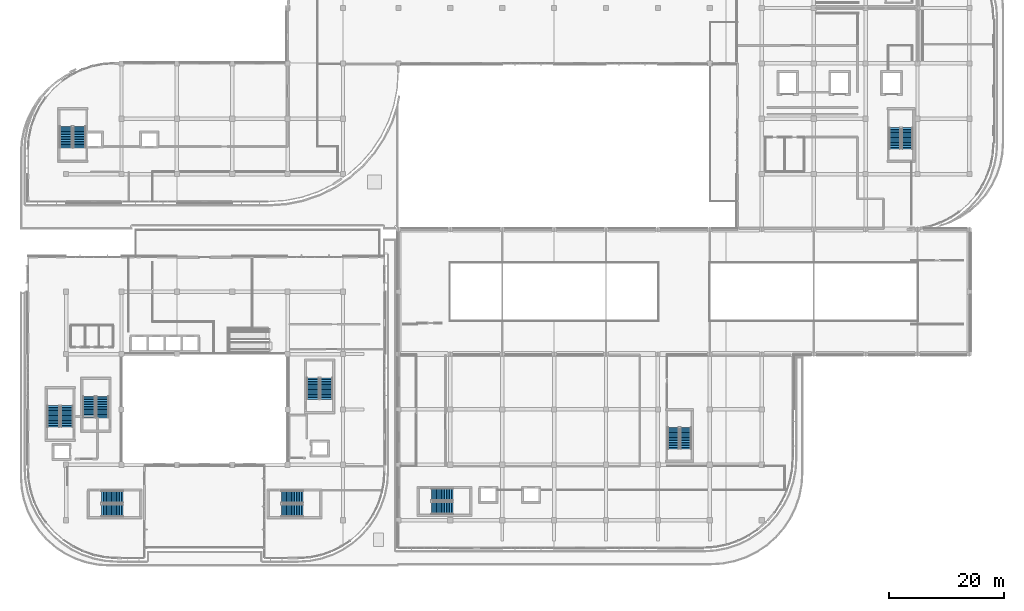
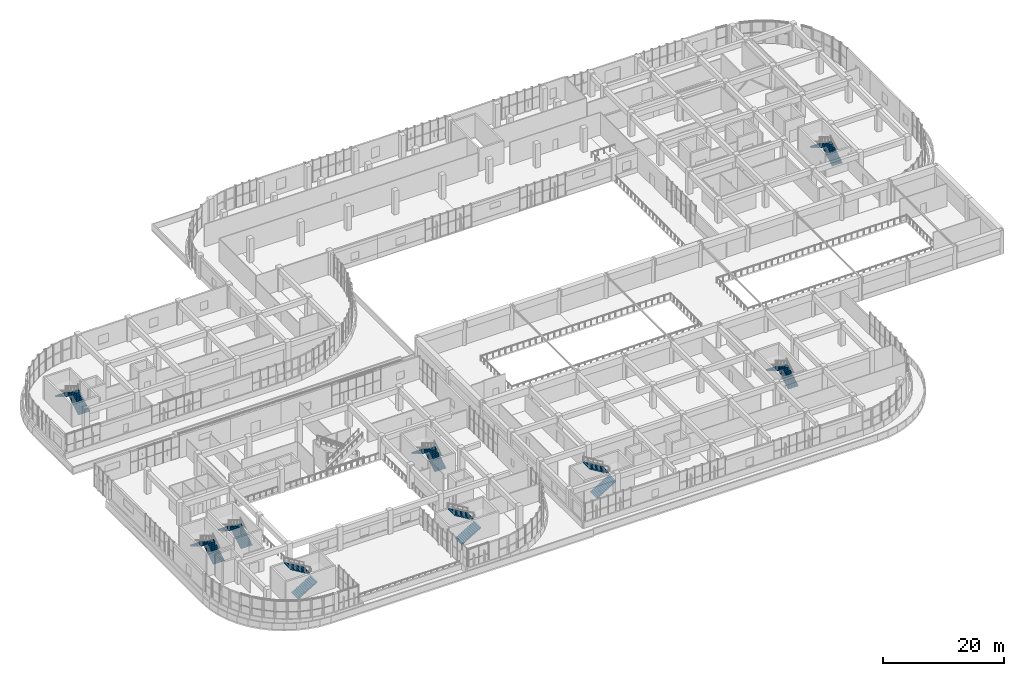
# One storey, part 74 of 96: 18 stair flights, 9 elements without a shape of their own.
"""IFC4 building model written with IfcOpenShell, lengths in metres."""

from ifc_helpers import new_model, si_unit, direction, frame, origin, place, context, subcontext, project, spatial, polyline, outline, extrude, material, layer, layer_set, type_object, element, aggregate, save


model = new_model("IFC4")

# Units and contexts
model_context = context("Model", 3, precision=1e-05, world=origin(), true_north=direction((0.0, 1.0)))
body_context = subcontext(model_context, "Body", "Model", "MODEL_VIEW")
ifc_project = project(units=[si_unit("LENGTHUNIT", "METRE"), si_unit("AREAUNIT", "SQUARE_METRE"), si_unit("VOLUMEUNIT", "CUBIC_METRE"), si_unit("PLANEANGLEUNIT", "RADIAN"), si_unit("MASSUNIT", "GRAM", prefix="KILO")], contexts=[model_context])

# Site, building, storey
site_placement = place(None, origin())
site = spatial("IfcSite", under=ifc_project, at=site_placement, CompositionType="ELEMENT")
building_placement = place(site_placement, origin())
building = spatial("IfcBuilding", under=site, at=building_placement, Name="Cendralis Terraced Arcade", CompositionType="ELEMENT")
storey_placement = place(building_placement, frame((0.0, 0.0, 10.199951171875)))
storey = spatial("IfcBuildingStorey", under=building, at=storey_placement, Name="L02", CompositionType="ELEMENT", Elevation=10.199951171875)

# Stair, stair flights
ifc_material = material(Name="Concrete f'c 35 MPa", Category="concrete")
stair_type_1 = type_object("IfcStairType", Name="STR-W195-H480", PredefinedType="HALF_TURN_STAIR", material=ifc_material)
stair_1_placement = place(storey_placement, origin())
stair_1 = element("IfcStair", 1, at=stair_1_placement, inside=storey, type_object=stair_type_1, Name="L02 Protected Exit Stair ST-06", PredefinedType="HALF_TURN_STAIR")
ifc_layer_1 = layer(ifc_material, 0.159912109375, Name="FLT-W195-H480")
ifc_layer_set_1 = layer_set([ifc_layer_1], Name="Concrete f'c 35 MPa")
stair_flight_type_1 = type_object("IfcStairFlightType", Name="FLT-W195-H480", PredefinedType="STRAIGHT", material=ifc_layer_set_1)
stair_flight_1_placement = place(storey_placement, frame((155.425048828125, 73.949951171875, 0.0), z_axis=(0.0, 0.0, 1.0), x_axis=(0.0, 1.0, 0.0)))
stair_flight_1 = element("IfcStairFlight", 2, at=stair_flight_1_placement, type_object=stair_flight_type_1, Name="ST-06 flight 1", NumberOfRisers=14, NumberOfTreads=13, PredefinedType="STRAIGHT", RiserHeight=0.171428571, TreadLength=0.285, context=body_context, shape_type="SweptSolid", body=[
    extrude(outline(polyline([(0.0, 0.0), (0.0, 0.17138671875), (0.284912109375, 0.17138671875), (0.284912109375, 0.3427734375), (0.570068359375, 0.3427734375), (0.570068359375, 0.514404296875), (0.85498046875, 0.514404296875), (0.85498046875, 0.685791015625), (1.139892578125, 0.685791015625), (1.139892578125, 0.857177734375), (1.425048828125, 0.857177734375), (1.425048828125, 1.028564453125), (1.7099609375, 1.028564453125), (1.7099609375, 1.199951171875), (1.9951171875, 1.199951171875), (1.9951171875, 1.371337890625), (2.280029296875, 1.371337890625), (2.280029296875, 1.54296875), (2.56494140625, 1.54296875), (2.56494140625, 1.71435546875), (2.85009765625, 1.71435546875), (2.85009765625, 1.8857421875), (3.135009765625, 1.8857421875), (3.135009765625, 2.05712890625), (3.419921875, 2.05712890625), (3.419921875, 2.228515625), (3.705078125, 2.228515625), (3.705078125, 2.39990234375), (3.705078125, 2.0537109375), (0.290771484375, 0.0), (0.0, 0.0)])), frame((0.0, 0.97509765625, 0.0), z_axis=(0.0, -1.0, 0.0), x_axis=(1.0, 0.0, 0.0)), (0.0, 0.0, 1.0), 1.949951171875),
])
stair_flight_2_placement = place(storey_placement, frame((153.27490234375, 77.655029296875, 2.400146484375), z_axis=(0.0, 0.0, 1.0), x_axis=(0.0, -1.0, 0.0)))
stair_flight_2 = element("IfcStairFlight", 3, at=stair_flight_2_placement, type_object=stair_flight_type_1, Name="ST-06 flight 2", NumberOfRisers=14, NumberOfTreads=13, PredefinedType="STRAIGHT", RiserHeight=0.171428571, TreadLength=0.285, context=body_context, shape_type="SweptSolid", body=[
    extrude(outline(polyline([(0.0, 0.0), (0.0, 0.17138671875), (0.284912109375, 0.17138671875), (0.284912109375, 0.3427734375), (0.570068359375, 0.3427734375), (0.570068359375, 0.514404296875), (0.85498046875, 0.514404296875), (0.85498046875, 0.685791015625), (1.139892578125, 0.685791015625), (1.139892578125, 0.857177734375), (1.425048828125, 0.857177734375), (1.425048828125, 1.028564453125), (1.7099609375, 1.028564453125), (1.7099609375, 1.199951171875), (1.9951171875, 1.199951171875), (1.9951171875, 1.371337890625), (2.280029296875, 1.371337890625), (2.280029296875, 1.54296875), (2.56494140625, 1.54296875), (2.56494140625, 1.71435546875), (2.85009765625, 1.71435546875), (2.85009765625, 1.8857421875), (3.135009765625, 1.8857421875), (3.135009765625, 2.05712890625), (3.419921875, 2.05712890625), (3.419921875, 2.228515625), (3.705078125, 2.228515625), (3.705078125, 2.39990234375), (3.705078125, 2.0537109375), (0.290771484375, 0.0), (0.0, 0.0)])), frame((0.0, 0.97509765625, 0.0), z_axis=(0.0, -1.0, 0.0), x_axis=(1.0, 0.0, 0.0)), (0.0, 0.0, 1.0), 1.949951171875),
])
aggregate(stair_1, [stair_flight_1, stair_flight_2])

stair_2_placement = place(storey_placement, origin())
stair_2 = element("IfcStair", 4, at=stair_2_placement, inside=storey, type_object=stair_type_1, Name="L02 Protected Exit Stair ST-09", PredefinedType="HALF_TURN_STAIR")
stair_flight_3_placement = place(storey_placement, frame((117.02490234375, 21.949951171875, 0.0), z_axis=(0.0, 0.0, 1.0), x_axis=(0.0, 1.0, 0.0)))
stair_flight_3 = element("IfcStairFlight", 5, at=stair_flight_3_placement, type_object=stair_flight_type_1, Name="ST-09 flight 1", NumberOfRisers=14, NumberOfTreads=13, PredefinedType="STRAIGHT", RiserHeight=0.171428571, TreadLength=0.285, context=body_context, shape_type="SweptSolid", body=[
    extrude(outline(polyline([(0.0, 0.0), (0.0, 0.17138671875), (0.284912109375, 0.17138671875), (0.284912109375, 0.3427734375), (0.570068359375, 0.3427734375), (0.570068359375, 0.514404296875), (0.85498046875, 0.514404296875), (0.85498046875, 0.685791015625), (1.139892578125, 0.685791015625), (1.139892578125, 0.857177734375), (1.425048828125, 0.857177734375), (1.425048828125, 1.028564453125), (1.7099609375, 1.028564453125), (1.7099609375, 1.199951171875), (1.9951171875, 1.199951171875), (1.9951171875, 1.371337890625), (2.280029296875, 1.371337890625), (2.280029296875, 1.54296875), (2.56494140625, 1.54296875), (2.56494140625, 1.71435546875), (2.85009765625, 1.71435546875), (2.85009765625, 1.8857421875), (3.135009765625, 1.8857421875), (3.135009765625, 2.05712890625), (3.419921875, 2.05712890625), (3.419921875, 2.228515625), (3.705078125, 2.228515625), (3.705078125, 2.39990234375), (3.705078125, 2.0537109375), (0.290771484375, 0.0), (0.0, 0.0)])), frame((0.0, 0.97509765625, 0.0), z_axis=(0.0, -1.0, 0.0), x_axis=(1.0, 0.0, 0.0)), (0.0, 0.0, 1.0), 1.949951171875),
])
stair_flight_4_placement = place(storey_placement, frame((114.875, 25.655029296875, 2.400146484375), z_axis=(0.0, 0.0, 1.0), x_axis=(0.0, -1.0, 0.0)))
stair_flight_4 = element("IfcStairFlight", 6, at=stair_flight_4_placement, type_object=stair_flight_type_1, Name="ST-09 flight 2", NumberOfRisers=14, NumberOfTreads=13, PredefinedType="STRAIGHT", RiserHeight=0.171428571, TreadLength=0.285, context=body_context, shape_type="SweptSolid", body=[
    extrude(outline(polyline([(0.0, 0.0), (0.0, 0.17138671875), (0.284912109375, 0.17138671875), (0.284912109375, 0.3427734375), (0.570068359375, 0.3427734375), (0.570068359375, 0.514404296875), (0.85498046875, 0.514404296875), (0.85498046875, 0.685791015625), (1.139892578125, 0.685791015625), (1.139892578125, 0.857177734375), (1.425048828125, 0.857177734375), (1.425048828125, 1.028564453125), (1.7099609375, 1.028564453125), (1.7099609375, 1.199951171875), (1.9951171875, 1.199951171875), (1.9951171875, 1.371337890625), (2.280029296875, 1.371337890625), (2.280029296875, 1.54296875), (2.56494140625, 1.54296875), (2.56494140625, 1.71435546875), (2.85009765625, 1.71435546875), (2.85009765625, 1.8857421875), (3.135009765625, 1.8857421875), (3.135009765625, 2.05712890625), (3.419921875, 2.05712890625), (3.419921875, 2.228515625), (3.705078125, 2.228515625), (3.705078125, 2.39990234375), (3.705078125, 2.0537109375), (0.290771484375, 0.0), (0.0, 0.0)])), frame((0.0, 0.97509765625, 0.0), z_axis=(0.0, -1.0, 0.0), x_axis=(1.0, 0.0, 0.0)), (0.0, 0.0, 1.0), 1.949951171875),
])
aggregate(stair_2, [stair_flight_3, stair_flight_4])

stair_type_2 = type_object("IfcStairType", Name="STR-W215-H480", PredefinedType="HALF_TURN_STAIR", material=ifc_material)
stair_3_placement = place(storey_placement, origin())
stair_3 = element("IfcStair", 7, at=stair_3_placement, inside=storey, type_object=stair_type_2, Name="L02 Protected Exit Stair ST-01", PredefinedType="HALF_TURN_STAIR")
ifc_layer_2 = layer(ifc_material, 0.159912109375, Name="FLT-W215-H480")
ifc_layer_set_2 = layer_set([ifc_layer_2], Name="Concrete f'c 35 MPa")
stair_flight_type_2 = type_object("IfcStairFlightType", Name="FLT-W215-H480", PredefinedType="STRAIGHT", material=ifc_layer_set_2)
stair_flight_5_placement = place(storey_placement, frame((9.72509765625, 25.75, 0.0), z_axis=(0.0, 0.0, 1.0), x_axis=(0.0, 1.0, 0.0)))
stair_flight_5 = element("IfcStairFlight", 8, at=stair_flight_5_placement, type_object=stair_flight_type_2, Name="ST-01 flight 1", NumberOfRisers=14, NumberOfTreads=13, PredefinedType="STRAIGHT", RiserHeight=0.171428571, TreadLength=0.285, context=body_context, shape_type="SweptSolid", body=[
    extrude(outline(polyline([(0.0, 0.0), (0.0, 0.17138671875), (0.284912109375, 0.17138671875), (0.284912109375, 0.3427734375), (0.570068359375, 0.3427734375), (0.570068359375, 0.514404296875), (0.85498046875, 0.514404296875), (0.85498046875, 0.685791015625), (1.139892578125, 0.685791015625), (1.139892578125, 0.857177734375), (1.425048828125, 0.857177734375), (1.425048828125, 1.028564453125), (1.7099609375, 1.028564453125), (1.7099609375, 1.199951171875), (1.9951171875, 1.199951171875), (1.9951171875, 1.371337890625), (2.280029296875, 1.371337890625), (2.280029296875, 1.54296875), (2.56494140625, 1.54296875), (2.56494140625, 1.71435546875), (2.85009765625, 1.71435546875), (2.85009765625, 1.8857421875), (3.135009765625, 1.8857421875), (3.135009765625, 2.05712890625), (3.419921875, 2.05712890625), (3.419921875, 2.228515625), (3.705078125, 2.228515625), (3.705078125, 2.39990234375), (3.705078125, 2.0537109375), (0.290771484375, 0.0), (0.0, 0.0)])), frame((0.0, 1.074951171875, 0.0), z_axis=(0.0, -1.0, 0.0), x_axis=(1.0, 0.0, 0.0)), (0.0, 0.0, 1.0), 2.14990234375),
])
stair_flight_6_placement = place(storey_placement, frame((7.375, 29.455078125, 2.400146484375), z_axis=(0.0, 0.0, 1.0), x_axis=(0.0, -1.0, 0.0)))
stair_flight_6 = element("IfcStairFlight", 9, at=stair_flight_6_placement, type_object=stair_flight_type_2, Name="ST-01 flight 2", NumberOfRisers=14, NumberOfTreads=13, PredefinedType="STRAIGHT", RiserHeight=0.171428571, TreadLength=0.285, context=body_context, shape_type="SweptSolid", body=[
    extrude(outline(polyline([(0.0, 0.0), (0.0, 0.17138671875), (0.284912109375, 0.17138671875), (0.284912109375, 0.3427734375), (0.570068359375, 0.3427734375), (0.570068359375, 0.514404296875), (0.85498046875, 0.514404296875), (0.85498046875, 0.685791015625), (1.139892578125, 0.685791015625), (1.139892578125, 0.857177734375), (1.425048828125, 0.857177734375), (1.425048828125, 1.028564453125), (1.7099609375, 1.028564453125), (1.7099609375, 1.199951171875), (1.9951171875, 1.199951171875), (1.9951171875, 1.371337890625), (2.280029296875, 1.371337890625), (2.280029296875, 1.54296875), (2.56494140625, 1.54296875), (2.56494140625, 1.71435546875), (2.85009765625, 1.71435546875), (2.85009765625, 1.8857421875), (3.135009765625, 1.8857421875), (3.135009765625, 2.05712890625), (3.419921875, 2.05712890625), (3.419921875, 2.228515625), (3.705078125, 2.228515625), (3.705078125, 2.39990234375), (3.705078125, 2.0537109375), (0.290771484375, 0.0), (0.0, 0.0)])), frame((0.0, 1.074951171875, 0.0), z_axis=(0.0, -1.0, 0.0), x_axis=(1.0, 0.0, 0.0)), (0.0, 0.0, 1.0), 2.14990234375),
])
aggregate(stair_3, [stair_flight_5, stair_flight_6])

stair_4_placement = place(storey_placement, origin())
stair_4 = element("IfcStair", 10, at=stair_4_placement, inside=storey, type_object=stair_type_2, Name="L02 Protected Exit Stair ST-02", PredefinedType="HALF_TURN_STAIR")
stair_flight_7_placement = place(storey_placement, frame((15.75, 11.27490234375, 0.0), z_axis=(0.0, 0.0, 1.0), x_axis=(1.0, 0.0, 0.0)))
stair_flight_7 = element("IfcStairFlight", 11, at=stair_flight_7_placement, type_object=stair_flight_type_2, Name="ST-02 flight 1", NumberOfRisers=14, NumberOfTreads=13, PredefinedType="STRAIGHT", RiserHeight=0.171428571, TreadLength=0.285, context=body_context, shape_type="SweptSolid", body=[
    extrude(outline(polyline([(0.0, 0.0), (0.0, 0.17138671875), (0.284912109375, 0.17138671875), (0.284912109375, 0.3427734375), (0.570068359375, 0.3427734375), (0.570068359375, 0.514404296875), (0.85498046875, 0.514404296875), (0.85498046875, 0.685791015625), (1.139892578125, 0.685791015625), (1.139892578125, 0.857177734375), (1.425048828125, 0.857177734375), (1.425048828125, 1.028564453125), (1.7099609375, 1.028564453125), (1.7099609375, 1.199951171875), (1.9951171875, 1.199951171875), (1.9951171875, 1.371337890625), (2.280029296875, 1.371337890625), (2.280029296875, 1.54296875), (2.56494140625, 1.54296875), (2.56494140625, 1.71435546875), (2.85009765625, 1.71435546875), (2.85009765625, 1.8857421875), (3.135009765625, 1.8857421875), (3.135009765625, 2.05712890625), (3.419921875, 2.05712890625), (3.419921875, 2.228515625), (3.705078125, 2.228515625), (3.705078125, 2.39990234375), (3.705078125, 2.0537109375), (0.290771484375, 0.0), (0.0, 0.0)])), frame((0.0, 1.074951171875, 0.0), z_axis=(0.0, -1.0, 0.0), x_axis=(1.0, 0.0, 0.0)), (0.0, 0.0, 1.0), 2.14990234375),
])
stair_flight_8_placement = place(storey_placement, frame((19.455078125, 13.625, 2.400146484375), z_axis=(0.0, 0.0, 1.0), x_axis=(-1.0, 0.0, 0.0)))
stair_flight_8 = element("IfcStairFlight", 12, at=stair_flight_8_placement, type_object=stair_flight_type_2, Name="ST-02 flight 2", NumberOfRisers=14, NumberOfTreads=13, PredefinedType="STRAIGHT", RiserHeight=0.171428571, TreadLength=0.285, context=body_context, shape_type="SweptSolid", body=[
    extrude(outline(polyline([(0.0, 0.0), (0.0, 0.17138671875), (0.284912109375, 0.17138671875), (0.284912109375, 0.3427734375), (0.570068359375, 0.3427734375), (0.570068359375, 0.514404296875), (0.85498046875, 0.514404296875), (0.85498046875, 0.685791015625), (1.139892578125, 0.685791015625), (1.139892578125, 0.857177734375), (1.425048828125, 0.857177734375), (1.425048828125, 1.028564453125), (1.7099609375, 1.028564453125), (1.7099609375, 1.199951171875), (1.9951171875, 1.199951171875), (1.9951171875, 1.371337890625), (2.280029296875, 1.371337890625), (2.280029296875, 1.54296875), (2.56494140625, 1.54296875), (2.56494140625, 1.71435546875), (2.85009765625, 1.71435546875), (2.85009765625, 1.8857421875), (3.135009765625, 1.8857421875), (3.135009765625, 2.05712890625), (3.419921875, 2.05712890625), (3.419921875, 2.228515625), (3.705078125, 2.228515625), (3.705078125, 2.39990234375), (3.705078125, 2.0537109375), (0.290771484375, 0.0), (0.0, 0.0)])), frame((0.0, 1.074951171875, 0.0), z_axis=(0.0, -1.0, 0.0), x_axis=(1.0, 0.0, 0.0)), (0.0, 0.0, 1.0), 2.14990234375),
])
aggregate(stair_4, [stair_flight_7, stair_flight_8])

stair_5_placement = place(storey_placement, origin())
stair_5 = element("IfcStair", 13, at=stair_5_placement, inside=storey, type_object=stair_type_2, Name="L02 Protected Exit Stair ST-03", PredefinedType="HALF_TURN_STAIR")
stair_flight_9_placement = place(storey_placement, frame((46.949951171875, 11.27490234375, 0.0), z_axis=(0.0, 0.0, 1.0), x_axis=(1.0, 0.0, 0.0)))
stair_flight_9 = element("IfcStairFlight", 14, at=stair_flight_9_placement, type_object=stair_flight_type_2, Name="ST-03 flight 1", NumberOfRisers=14, NumberOfTreads=13, PredefinedType="STRAIGHT", RiserHeight=0.171428571, TreadLength=0.285, context=body_context, shape_type="SweptSolid", body=[
    extrude(outline(polyline([(0.0, 0.0), (0.0, 0.17138671875), (0.284912109375, 0.17138671875), (0.284912109375, 0.3427734375), (0.570068359375, 0.3427734375), (0.570068359375, 0.514404296875), (0.85498046875, 0.514404296875), (0.85498046875, 0.685791015625), (1.139892578125, 0.685791015625), (1.139892578125, 0.857177734375), (1.425048828125, 0.857177734375), (1.425048828125, 1.028564453125), (1.7099609375, 1.028564453125), (1.7099609375, 1.199951171875), (1.9951171875, 1.199951171875), (1.9951171875, 1.371337890625), (2.280029296875, 1.371337890625), (2.280029296875, 1.54296875), (2.56494140625, 1.54296875), (2.56494140625, 1.71435546875), (2.85009765625, 1.71435546875), (2.85009765625, 1.8857421875), (3.135009765625, 1.8857421875), (3.135009765625, 2.05712890625), (3.419921875, 2.05712890625), (3.419921875, 2.228515625), (3.705078125, 2.228515625), (3.705078125, 2.39990234375), (3.705078125, 2.0537109375), (0.290771484375, 0.0), (0.0, 0.0)])), frame((0.0, 1.074951171875, 0.0), z_axis=(0.0, -1.0, 0.0), x_axis=(1.0, 0.0, 0.0)), (0.0, 0.0, 1.0), 2.14990234375),
])
stair_flight_10_placement = place(storey_placement, frame((50.655029296875, 13.625, 2.400146484375), z_axis=(0.0, 0.0, 1.0), x_axis=(-1.0, 0.0, 0.0)))
stair_flight_10 = element("IfcStairFlight", 15, at=stair_flight_10_placement, type_object=stair_flight_type_2, Name="ST-03 flight 2", NumberOfRisers=14, NumberOfTreads=13, PredefinedType="STRAIGHT", RiserHeight=0.171428571, TreadLength=0.285, context=body_context, shape_type="SweptSolid", body=[
    extrude(outline(polyline([(0.0, 0.0), (0.0, 0.17138671875), (0.284912109375, 0.17138671875), (0.284912109375, 0.3427734375), (0.570068359375, 0.3427734375), (0.570068359375, 0.514404296875), (0.85498046875, 0.514404296875), (0.85498046875, 0.685791015625), (1.139892578125, 0.685791015625), (1.139892578125, 0.857177734375), (1.425048828125, 0.857177734375), (1.425048828125, 1.028564453125), (1.7099609375, 1.028564453125), (1.7099609375, 1.199951171875), (1.9951171875, 1.199951171875), (1.9951171875, 1.371337890625), (2.280029296875, 1.371337890625), (2.280029296875, 1.54296875), (2.56494140625, 1.54296875), (2.56494140625, 1.71435546875), (2.85009765625, 1.71435546875), (2.85009765625, 1.8857421875), (3.135009765625, 1.8857421875), (3.135009765625, 2.05712890625), (3.419921875, 2.05712890625), (3.419921875, 2.228515625), (3.705078125, 2.228515625), (3.705078125, 2.39990234375), (3.705078125, 2.0537109375), (0.290771484375, 0.0), (0.0, 0.0)])), frame((0.0, 1.074951171875, 0.0), z_axis=(0.0, -1.0, 0.0), x_axis=(1.0, 0.0, 0.0)), (0.0, 0.0, 1.0), 2.14990234375),
])
aggregate(stair_5, [stair_flight_9, stair_flight_10])

stair_6_placement = place(storey_placement, origin())
stair_6 = element("IfcStair", 16, at=stair_6_placement, inside=storey, type_object=stair_type_2, Name="L02 Protected Exit Stair ST-04", PredefinedType="HALF_TURN_STAIR")
stair_flight_11_placement = place(storey_placement, frame((54.72509765625, 30.550048828125, 0.0), z_axis=(0.0, 0.0, 1.0), x_axis=(0.0, 1.0, 0.0)))
stair_flight_11 = element("IfcStairFlight", 17, at=stair_flight_11_placement, type_object=stair_flight_type_2, Name="ST-04 flight 1", NumberOfRisers=14, NumberOfTreads=13, PredefinedType="STRAIGHT", RiserHeight=0.171428571, TreadLength=0.285, context=body_context, shape_type="SweptSolid", body=[
    extrude(outline(polyline([(0.0, 0.0), (0.0, 0.17138671875), (0.284912109375, 0.17138671875), (0.284912109375, 0.3427734375), (0.570068359375, 0.3427734375), (0.570068359375, 0.514404296875), (0.85498046875, 0.514404296875), (0.85498046875, 0.685791015625), (1.139892578125, 0.685791015625), (1.139892578125, 0.857177734375), (1.425048828125, 0.857177734375), (1.425048828125, 1.028564453125), (1.7099609375, 1.028564453125), (1.7099609375, 1.199951171875), (1.9951171875, 1.199951171875), (1.9951171875, 1.371337890625), (2.280029296875, 1.371337890625), (2.280029296875, 1.54296875), (2.56494140625, 1.54296875), (2.56494140625, 1.71435546875), (2.85009765625, 1.71435546875), (2.85009765625, 1.8857421875), (3.135009765625, 1.8857421875), (3.135009765625, 2.05712890625), (3.419921875, 2.05712890625), (3.419921875, 2.228515625), (3.705078125, 2.228515625), (3.705078125, 2.39990234375), (3.705078125, 2.0537109375), (0.290771484375, 0.0), (0.0, 0.0)])), frame((0.0, 1.074951171875, 0.0), z_axis=(0.0, -1.0, 0.0), x_axis=(1.0, 0.0, 0.0)), (0.0, 0.0, 1.0), 2.14990234375),
])
stair_flight_12_placement = place(storey_placement, frame((52.375, 34.2548828125, 2.400146484375), z_axis=(0.0, 0.0, 1.0), x_axis=(0.0, -1.0, 0.0)))
stair_flight_12 = element("IfcStairFlight", 18, at=stair_flight_12_placement, type_object=stair_flight_type_2, Name="ST-04 flight 2", NumberOfRisers=14, NumberOfTreads=13, PredefinedType="STRAIGHT", RiserHeight=0.171428571, TreadLength=0.285, context=body_context, shape_type="SweptSolid", body=[
    extrude(outline(polyline([(0.0, 0.0), (0.0, 0.17138671875), (0.284912109375, 0.17138671875), (0.284912109375, 0.3427734375), (0.570068359375, 0.3427734375), (0.570068359375, 0.514404296875), (0.85498046875, 0.514404296875), (0.85498046875, 0.685791015625), (1.139892578125, 0.685791015625), (1.139892578125, 0.857177734375), (1.425048828125, 0.857177734375), (1.425048828125, 1.028564453125), (1.7099609375, 1.028564453125), (1.7099609375, 1.199951171875), (1.9951171875, 1.199951171875), (1.9951171875, 1.371337890625), (2.280029296875, 1.371337890625), (2.280029296875, 1.54296875), (2.56494140625, 1.54296875), (2.56494140625, 1.71435546875), (2.85009765625, 1.71435546875), (2.85009765625, 1.8857421875), (3.135009765625, 1.8857421875), (3.135009765625, 2.05712890625), (3.419921875, 2.05712890625), (3.419921875, 2.228515625), (3.705078125, 2.228515625), (3.705078125, 2.39990234375), (3.705078125, 2.0537109375), (0.290771484375, 0.0), (0.0, 0.0)])), frame((0.0, 1.074951171875, 0.0), z_axis=(0.0, -1.0, 0.0), x_axis=(1.0, 0.0, 0.0)), (0.0, 0.0, 1.0), 2.14990234375),
])
aggregate(stair_6, [stair_flight_11, stair_flight_12])

stair_7_placement = place(storey_placement, origin())
stair_7 = element("IfcStair", 19, at=stair_7_placement, inside=storey, type_object=stair_type_2, Name="L02 Protected Exit Stair ST-05", PredefinedType="HALF_TURN_STAIR")
stair_flight_13_placement = place(storey_placement, frame((15.925048828125, 27.35009765625, 0.0), z_axis=(0.0, 0.0, 1.0), x_axis=(0.0, 1.0, 0.0)))
stair_flight_13 = element("IfcStairFlight", 20, at=stair_flight_13_placement, type_object=stair_flight_type_2, Name="ST-05 flight 1", NumberOfRisers=14, NumberOfTreads=13, PredefinedType="STRAIGHT", RiserHeight=0.171428571, TreadLength=0.285, context=body_context, shape_type="SweptSolid", body=[
    extrude(outline(polyline([(0.0, 0.0), (0.0, 0.17138671875), (0.284912109375, 0.17138671875), (0.284912109375, 0.3427734375), (0.570068359375, 0.3427734375), (0.570068359375, 0.514404296875), (0.85498046875, 0.514404296875), (0.85498046875, 0.685791015625), (1.139892578125, 0.685791015625), (1.139892578125, 0.857177734375), (1.425048828125, 0.857177734375), (1.425048828125, 1.028564453125), (1.7099609375, 1.028564453125), (1.7099609375, 1.199951171875), (1.9951171875, 1.199951171875), (1.9951171875, 1.371337890625), (2.280029296875, 1.371337890625), (2.280029296875, 1.54296875), (2.56494140625, 1.54296875), (2.56494140625, 1.71435546875), (2.85009765625, 1.71435546875), (2.85009765625, 1.8857421875), (3.135009765625, 1.8857421875), (3.135009765625, 2.05712890625), (3.419921875, 2.05712890625), (3.419921875, 2.228515625), (3.705078125, 2.228515625), (3.705078125, 2.39990234375), (3.705078125, 2.0537109375), (0.290771484375, 0.0), (0.0, 0.0)])), frame((0.0, 1.074951171875, 0.0), z_axis=(0.0, -1.0, 0.0), x_axis=(1.0, 0.0, 0.0)), (0.0, 0.0, 1.0), 2.14990234375),
])
stair_flight_14_placement = place(storey_placement, frame((13.574951171875, 31.054931640625, 2.400146484375), z_axis=(0.0, 0.0, 1.0), x_axis=(0.0, -1.0, 0.0)))
stair_flight_14 = element("IfcStairFlight", 21, at=stair_flight_14_placement, type_object=stair_flight_type_2, Name="ST-05 flight 2", NumberOfRisers=14, NumberOfTreads=13, PredefinedType="STRAIGHT", RiserHeight=0.171428571, TreadLength=0.285, context=body_context, shape_type="SweptSolid", body=[
    extrude(outline(polyline([(0.0, 0.0), (0.0, 0.17138671875), (0.284912109375, 0.17138671875), (0.284912109375, 0.3427734375), (0.570068359375, 0.3427734375), (0.570068359375, 0.514404296875), (0.85498046875, 0.514404296875), (0.85498046875, 0.685791015625), (1.139892578125, 0.685791015625), (1.139892578125, 0.857177734375), (1.425048828125, 0.857177734375), (1.425048828125, 1.028564453125), (1.7099609375, 1.028564453125), (1.7099609375, 1.199951171875), (1.9951171875, 1.199951171875), (1.9951171875, 1.371337890625), (2.280029296875, 1.371337890625), (2.280029296875, 1.54296875), (2.56494140625, 1.54296875), (2.56494140625, 1.71435546875), (2.85009765625, 1.71435546875), (2.85009765625, 1.8857421875), (3.135009765625, 1.8857421875), (3.135009765625, 2.05712890625), (3.419921875, 2.05712890625), (3.419921875, 2.228515625), (3.705078125, 2.228515625), (3.705078125, 2.39990234375), (3.705078125, 2.0537109375), (0.290771484375, 0.0), (0.0, 0.0)])), frame((0.0, 1.074951171875, 0.0), z_axis=(0.0, -1.0, 0.0), x_axis=(1.0, 0.0, 0.0)), (0.0, 0.0, 1.0), 2.14990234375),
])
aggregate(stair_7, [stair_flight_13, stair_flight_14])

stair_8_placement = place(storey_placement, origin())
stair_8 = element("IfcStair", 22, at=stair_8_placement, inside=storey, type_object=stair_type_2, Name="L02 Protected Exit Stair ST-07", PredefinedType="HALF_TURN_STAIR")
stair_flight_15_placement = place(storey_placement, frame((11.925048828125, 74.14990234375, 0.0), z_axis=(0.0, 0.0, 1.0), x_axis=(0.0, 1.0, 0.0)))
stair_flight_15 = element("IfcStairFlight", 23, at=stair_flight_15_placement, type_object=stair_flight_type_2, Name="ST-07 flight 1", NumberOfRisers=14, NumberOfTreads=13, PredefinedType="STRAIGHT", RiserHeight=0.171428571, TreadLength=0.285, context=body_context, shape_type="SweptSolid", body=[
    extrude(outline(polyline([(0.0, 0.0), (0.0, 0.17138671875), (0.284912109375, 0.17138671875), (0.284912109375, 0.3427734375), (0.570068359375, 0.3427734375), (0.570068359375, 0.514404296875), (0.85498046875, 0.514404296875), (0.85498046875, 0.685791015625), (1.139892578125, 0.685791015625), (1.139892578125, 0.857177734375), (1.425048828125, 0.857177734375), (1.425048828125, 1.028564453125), (1.7099609375, 1.028564453125), (1.7099609375, 1.199951171875), (1.9951171875, 1.199951171875), (1.9951171875, 1.371337890625), (2.280029296875, 1.371337890625), (2.280029296875, 1.54296875), (2.56494140625, 1.54296875), (2.56494140625, 1.71435546875), (2.85009765625, 1.71435546875), (2.85009765625, 1.8857421875), (3.135009765625, 1.8857421875), (3.135009765625, 2.05712890625), (3.419921875, 2.05712890625), (3.419921875, 2.228515625), (3.705078125, 2.228515625), (3.705078125, 2.39990234375), (3.705078125, 2.0537109375), (0.290771484375, 0.0), (0.0, 0.0)])), frame((0.0, 1.074951171875, 0.0), z_axis=(0.0, -1.0, 0.0), x_axis=(1.0, 0.0, 0.0)), (0.0, 0.0, 1.0), 2.14990234375),
])
stair_flight_16_placement = place(storey_placement, frame((9.574951171875, 77.85498046875, 2.400146484375), z_axis=(0.0, 0.0, 1.0), x_axis=(0.0, -1.0, 0.0)))
stair_flight_16 = element("IfcStairFlight", 24, at=stair_flight_16_placement, type_object=stair_flight_type_2, Name="ST-07 flight 2", NumberOfRisers=14, NumberOfTreads=13, PredefinedType="STRAIGHT", RiserHeight=0.171428571, TreadLength=0.285, context=body_context, shape_type="SweptSolid", body=[
    extrude(outline(polyline([(0.0, 0.0), (0.0, 0.17138671875), (0.284912109375, 0.17138671875), (0.284912109375, 0.3427734375), (0.570068359375, 0.3427734375), (0.570068359375, 0.514404296875), (0.85498046875, 0.514404296875), (0.85498046875, 0.685791015625), (1.139892578125, 0.685791015625), (1.139892578125, 0.857177734375), (1.425048828125, 0.857177734375), (1.425048828125, 1.028564453125), (1.7099609375, 1.028564453125), (1.7099609375, 1.199951171875), (1.9951171875, 1.199951171875), (1.9951171875, 1.371337890625), (2.280029296875, 1.371337890625), (2.280029296875, 1.54296875), (2.56494140625, 1.54296875), (2.56494140625, 1.71435546875), (2.85009765625, 1.71435546875), (2.85009765625, 1.8857421875), (3.135009765625, 1.8857421875), (3.135009765625, 2.05712890625), (3.419921875, 2.05712890625), (3.419921875, 2.228515625), (3.705078125, 2.228515625), (3.705078125, 2.39990234375), (3.705078125, 2.0537109375), (0.290771484375, 0.0), (0.0, 0.0)])), frame((0.0, 1.074951171875, 0.0), z_axis=(0.0, -1.0, 0.0), x_axis=(1.0, 0.0, 0.0)), (0.0, 0.0, 1.0), 2.14990234375),
])
aggregate(stair_8, [stair_flight_15, stair_flight_16])

stair_9_placement = place(storey_placement, origin())
stair_9 = element("IfcStair", 25, at=stair_9_placement, inside=storey, type_object=stair_type_2, Name="L02 Protected Exit Stair ST-08", PredefinedType="HALF_TURN_STAIR")
stair_flight_17_placement = place(storey_placement, frame((72.949951171875, 11.675048828125, 0.0), z_axis=(0.0, 0.0, 1.0), x_axis=(1.0, 0.0, 0.0)))
stair_flight_17 = element("IfcStairFlight", 26, at=stair_flight_17_placement, type_object=stair_flight_type_2, Name="ST-08 flight 1", NumberOfRisers=14, NumberOfTreads=13, PredefinedType="STRAIGHT", RiserHeight=0.171428571, TreadLength=0.285, context=body_context, shape_type="SweptSolid", body=[
    extrude(outline(polyline([(0.0, 0.0), (0.0, 0.17138671875), (0.284912109375, 0.17138671875), (0.284912109375, 0.3427734375), (0.570068359375, 0.3427734375), (0.570068359375, 0.514404296875), (0.85498046875, 0.514404296875), (0.85498046875, 0.685791015625), (1.139892578125, 0.685791015625), (1.139892578125, 0.857177734375), (1.425048828125, 0.857177734375), (1.425048828125, 1.028564453125), (1.7099609375, 1.028564453125), (1.7099609375, 1.199951171875), (1.9951171875, 1.199951171875), (1.9951171875, 1.371337890625), (2.280029296875, 1.371337890625), (2.280029296875, 1.54296875), (2.56494140625, 1.54296875), (2.56494140625, 1.71435546875), (2.85009765625, 1.71435546875), (2.85009765625, 1.8857421875), (3.135009765625, 1.8857421875), (3.135009765625, 2.05712890625), (3.419921875, 2.05712890625), (3.419921875, 2.228515625), (3.705078125, 2.228515625), (3.705078125, 2.39990234375), (3.705078125, 2.0537109375), (0.290771484375, 0.0), (0.0, 0.0)])), frame((0.0, 1.074951171875, 0.0), z_axis=(0.0, -1.0, 0.0), x_axis=(1.0, 0.0, 0.0)), (0.0, 0.0, 1.0), 2.14990234375),
])
stair_flight_18_placement = place(storey_placement, frame((76.655029296875, 14.02490234375, 2.400146484375), z_axis=(0.0, 0.0, 1.0), x_axis=(-1.0, 0.0, 0.0)))
stair_flight_18 = element("IfcStairFlight", 27, at=stair_flight_18_placement, type_object=stair_flight_type_2, Name="ST-08 flight 2", NumberOfRisers=14, NumberOfTreads=13, PredefinedType="STRAIGHT", RiserHeight=0.171428571, TreadLength=0.285, context=body_context, shape_type="SweptSolid", body=[
    extrude(outline(polyline([(0.0, 0.0), (0.0, 0.17138671875), (0.284912109375, 0.17138671875), (0.284912109375, 0.3427734375), (0.570068359375, 0.3427734375), (0.570068359375, 0.514404296875), (0.85498046875, 0.514404296875), (0.85498046875, 0.685791015625), (1.139892578125, 0.685791015625), (1.139892578125, 0.857177734375), (1.425048828125, 0.857177734375), (1.425048828125, 1.028564453125), (1.7099609375, 1.028564453125), (1.7099609375, 1.199951171875), (1.9951171875, 1.199951171875), (1.9951171875, 1.371337890625), (2.280029296875, 1.371337890625), (2.280029296875, 1.54296875), (2.56494140625, 1.54296875), (2.56494140625, 1.71435546875), (2.85009765625, 1.71435546875), (2.85009765625, 1.8857421875), (3.135009765625, 1.8857421875), (3.135009765625, 2.05712890625), (3.419921875, 2.05712890625), (3.419921875, 2.228515625), (3.705078125, 2.228515625), (3.705078125, 2.39990234375), (3.705078125, 2.0537109375), (0.290771484375, 0.0), (0.0, 0.0)])), frame((0.0, 1.074951171875, 0.0), z_axis=(0.0, -1.0, 0.0), x_axis=(1.0, 0.0, 0.0)), (0.0, 0.0, 1.0), 2.14990234375),
])
aggregate(stair_9, [stair_flight_17, stair_flight_18])

save(model, "model.ifc")
